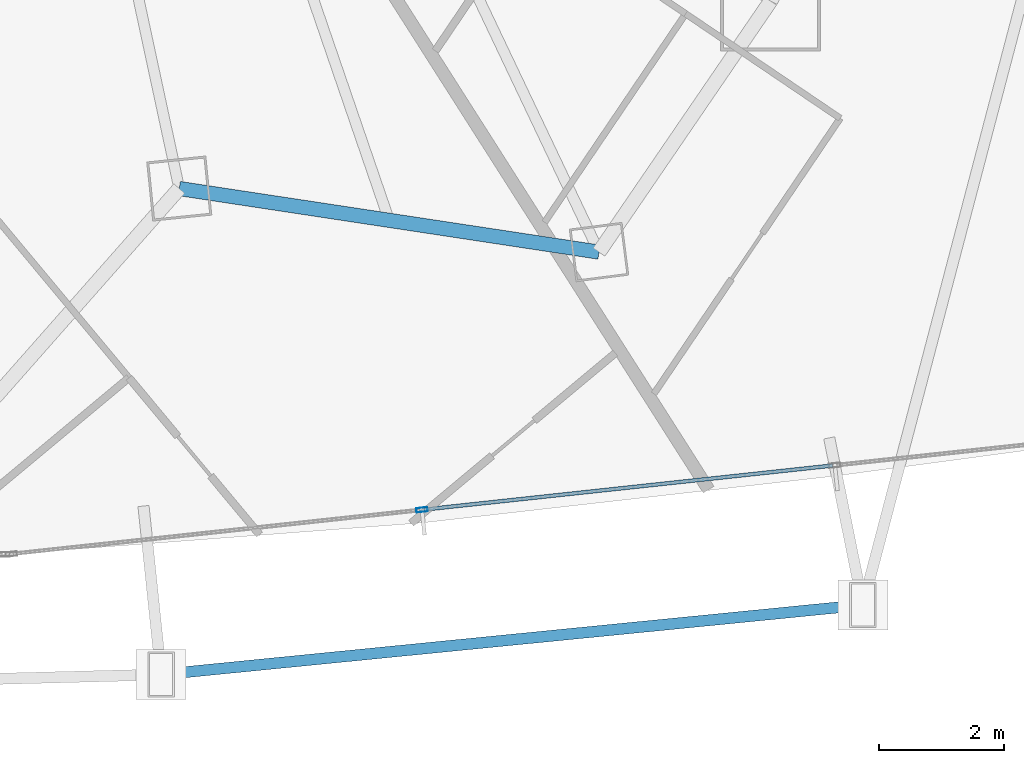
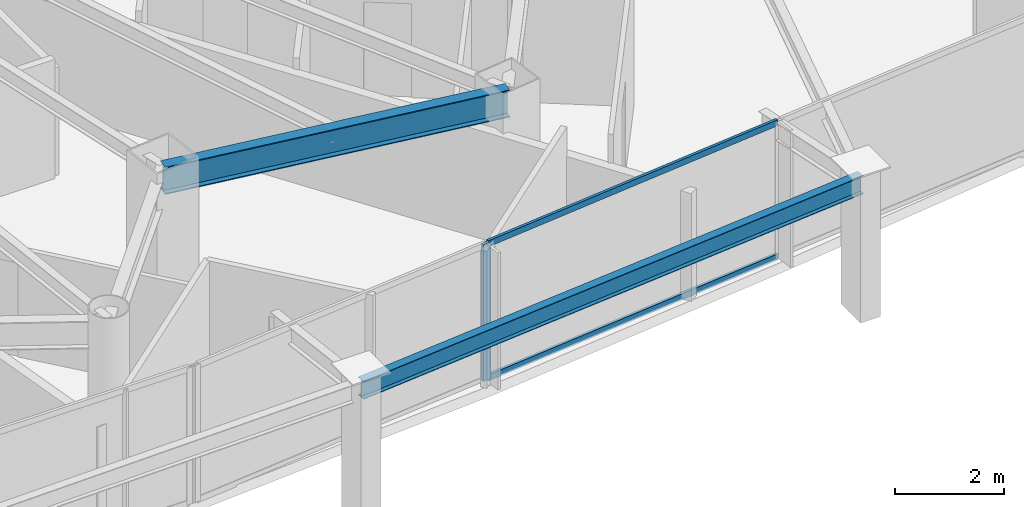
# One storey, part 14 of 38: 3 members, 2 beams, 1 element without a shape of its own.
"""IFC4 building model written with IfcOpenShell, lengths in metres."""

from ifc_helpers import new_model, si_unit, direction, frame, origin, origin_2d, place, context, subcontext, project, spatial, hollow_rectangle, i_section, extrude, material, layer, layer_set, material_profile, profile_set, type_object, element, aggregate, save


model = new_model("IFC4")

# Units and contexts
model_context = context("Model", 3, precision=1e-05, world=origin(), true_north=direction((0.0, 1.0)))
body_context = subcontext(model_context, "Body", "Model", "MODEL_VIEW")
ifc_project = project(units=[si_unit("LENGTHUNIT", "METRE"), si_unit("AREAUNIT", "SQUARE_METRE"), si_unit("VOLUMEUNIT", "CUBIC_METRE"), si_unit("PLANEANGLEUNIT", "RADIAN"), si_unit("MASSUNIT", "GRAM", prefix="KILO")], contexts=[model_context])

# Site, building, storey
site_placement = place(None, origin())
site = spatial("IfcSite", under=ifc_project, at=site_placement, CompositionType="ELEMENT")
building_placement = place(site_placement, origin())
building = spatial("IfcBuilding", under=site, at=building_placement, Name="Orvanel Arch Residences", CompositionType="ELEMENT")
storey_placement = place(building_placement, frame((0.0, 0.0, 50.0)))
storey = spatial("IfcBuildingStorey", under=building, at=storey_placement, Name="L13", CompositionType="ELEMENT", Elevation=50.0)

# Curtain wall, member
ifc_material_1 = material(Name="Bronze-anodised aluminium AA6063-T6", Category="aluminium")
ifc_layer = layer(ifc_material_1, 0.179931640625)
ifc_layer_set = layer_set([ifc_layer], Name="Bronze-anodised aluminium AA6063-T6")
curtain_wall_type = type_object("IfcCurtainWallType", Name="CW2-LOW-SYS", PredefinedType="NOTDEFINED", material=ifc_layer_set)
curtain_wall_placement = place(storey_placement, origin())
curtain_wall = element("IfcCurtainWall", 1, at=curtain_wall_placement, inside=storey, type_object=curtain_wall_type, Name="L13 CW2-LOW-SYS Unitised Curtain Wall", PredefinedType="NOTDEFINED")
ifc_material_profile_1 = material_profile(ifc_material_1, hollow_rectangle(XDim=0.070068359375, YDim=0.179931640625, WallThickness=0.00439453125, at=origin_2d()), Name="ALU180x70x4.5")
ifc_profile_set_1 = profile_set([ifc_material_profile_1], Name="Bronze-anodised aluminium AA6063-T6")
member_type_1 = type_object("IfcMemberType", Name="MUL-180x70", PredefinedType="MULLION", material=ifc_profile_set_1)
member_1_placement = place(storey_placement, frame((46.22900390625, 2.220947265625, 0.0), z_axis=(0.0, 0.0, 1.0), x_axis=(-0.107139659052, 0.994243980851, 0.0)))
member_1 = element("IfcMember", 2, at=member_1_placement, type_object=member_type_1, Name="CW-S2 mullion 2", PredefinedType="MULLION", context=body_context, shape_type="SweptSolid", body=[
    extrude(hollow_rectangle(XDim=0.070068359375, YDim=0.179931640625, WallThickness=0.00439453125, at=origin_2d()), origin(), (0.0, 0.0, 1.0), 3.06005859375),
])

# Beams
ifc_material_2 = material(Name="Structural steel AS/NZS 3679.1 Grade 300 (300 MPa)", Category="steel")
ifc_material_profile_2 = material_profile(ifc_material_2, i_section(OverallWidth=0.177978515625, OverallDepth=0.406005859375, WebThickness=0.0078125, FlangeThickness=0.0126953125, at=origin_2d()), Name="410UB59.7")
ifc_profile_set_2 = profile_set([ifc_material_profile_2], Name="Structural steel AS/NZS 3679.1 Grade 300 (300 MPa)")
beam_type_1 = type_object("IfcBeamType", Name="OB-410UB-EXT", PredefinedType="SPANDREL", material=ifc_profile_set_2)
beam_1_placement = place(storey_placement, frame((42.06103515625, -0.412109375, 2.85693359375), z_axis=(0.995119637714, 0.09867576519, 0.0), x_axis=(-0.09867576519, 0.995119637714, 0.0)))
element("IfcBeam", 3, at=beam_1_placement, inside=storey, type_object=beam_type_1, Name="L13 Outer Perimeter Floor Ring Beam 07", PredefinedType="SPANDREL", context=body_context, shape_type="SweptSolid", body=[
    extrude(i_section(OverallWidth=0.177978515625, OverallDepth=0.406005859375, WebThickness=0.0078125, FlangeThickness=0.0126953125, at=origin_2d()), origin(), (0.0, 0.0, 1.0), 11.269775390625),
])
ifc_material_profile_3 = material_profile(ifc_material_2, i_section(OverallWidth=0.22900390625, OverallDepth=0.612060546875, WebThickness=0.011962890625, FlangeThickness=0.01953125, at=origin_2d()), Name="610UB125")
ifc_profile_set_3 = profile_set([ifc_material_profile_3], Name="Structural steel AS/NZS 3679.1 Grade 300 (300 MPa)")
beam_type_2 = type_object("IfcBeamType", Name="SP-610UB", PredefinedType="SPANDREL", material=ifc_profile_set_3)
beam_2_placement = place(storey_placement, frame((42.35107421875, 7.35498046875, 2.75390625), z_axis=(0.988726323014, -0.149733958002, 0.0), x_axis=(0.149733958002, 0.988726323014, 0.0)))
element("IfcBeam", 4, at=beam_2_placement, inside=storey, type_object=beam_type_2, Name="L13 Perimeter Spandrel Beam 09", PredefinedType="SPANDREL", context=body_context, shape_type="SweptSolid", body=[
    extrude(i_section(OverallWidth=0.22900390625, OverallDepth=0.612060546875, WebThickness=0.011962890625, FlangeThickness=0.01953125, at=origin_2d()), origin(), (0.0, 0.0, 1.0), 6.784423828125),
])

# Member
ifc_material_profile_4 = material_profile(ifc_material_1, hollow_rectangle(XDim=0.06005859375, YDim=0.135009765625, WallThickness=0.00390625, at=origin_2d()), Name="ALU135x60x4")
ifc_profile_set_4 = profile_set([ifc_material_profile_4], Name="Bronze-anodised aluminium AA6063-T6")
member_type_2 = type_object("IfcMemberType", Name="TRN-135x60", PredefinedType="USERDEFINED", material=ifc_profile_set_4)
member_2_placement = place(storey_placement, frame((46.263916015625, 2.224853515625, 0.030029296875), z_axis=(0.994245962849, 0.107121264733, 0.0), x_axis=(-0.107121264733, 0.994245962849, 0.0)))
member_2 = element("IfcMember", 5, at=member_2_placement, type_object=member_type_2, Name="CW-S2 transom 2.1", ObjectType="TRANSOM", PredefinedType="USERDEFINED", context=body_context, shape_type="SweptSolid", body=[
    extrude(hollow_rectangle(XDim=0.06005859375, YDim=0.135009765625, WallThickness=0.00390625, at=origin_2d()), origin(), (0.0, 0.0, 1.0), 6.566162109375),
])

member_3_placement = place(storey_placement, frame((46.263916015625, 2.224853515625, 3.030029296875), z_axis=(0.994245962849, 0.107121264733, 0.0), x_axis=(-0.107121264733, 0.994245962849, 0.0)))
member_3 = element("IfcMember", 6, at=member_3_placement, type_object=member_type_2, Name="CW-S2 transom 2.2", ObjectType="TRANSOM", PredefinedType="USERDEFINED", context=body_context, shape_type="SweptSolid", body=[
    extrude(hollow_rectangle(XDim=0.06005859375, YDim=0.135009765625, WallThickness=0.00390625, at=origin_2d()), origin(), (0.0, 0.0, 1.0), 6.566162109375),
])

aggregate(curtain_wall, [member_1, member_2, member_3])

save(model, "model.ifc")
